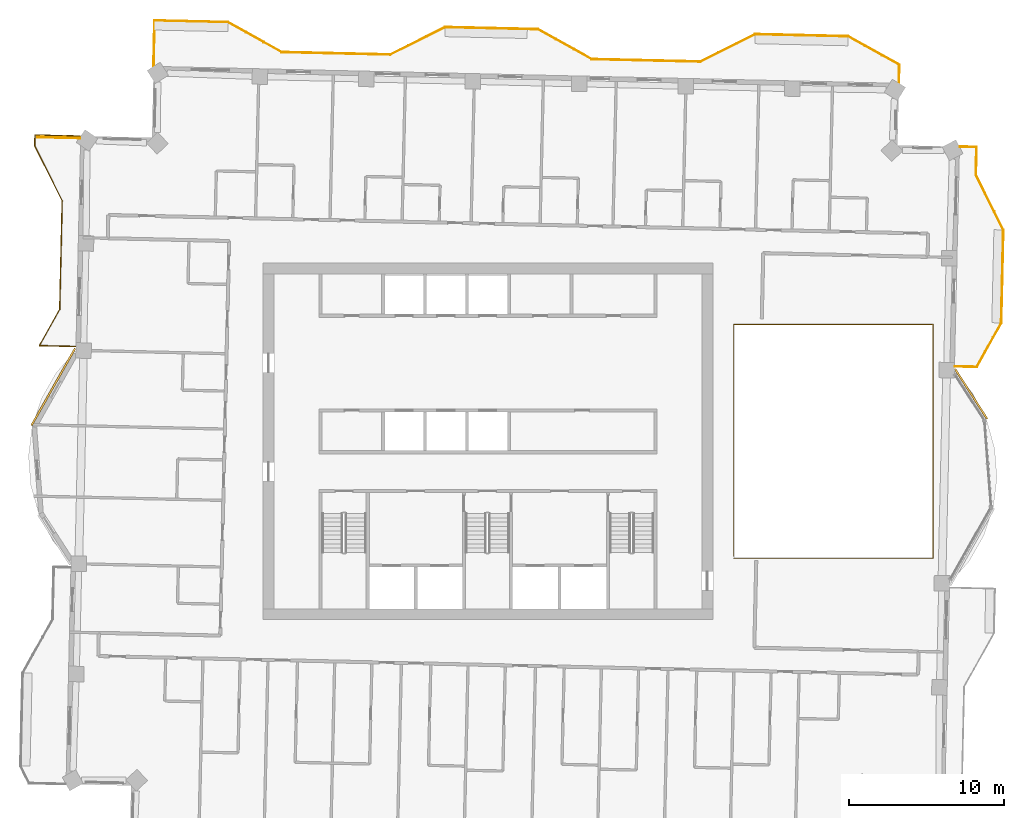
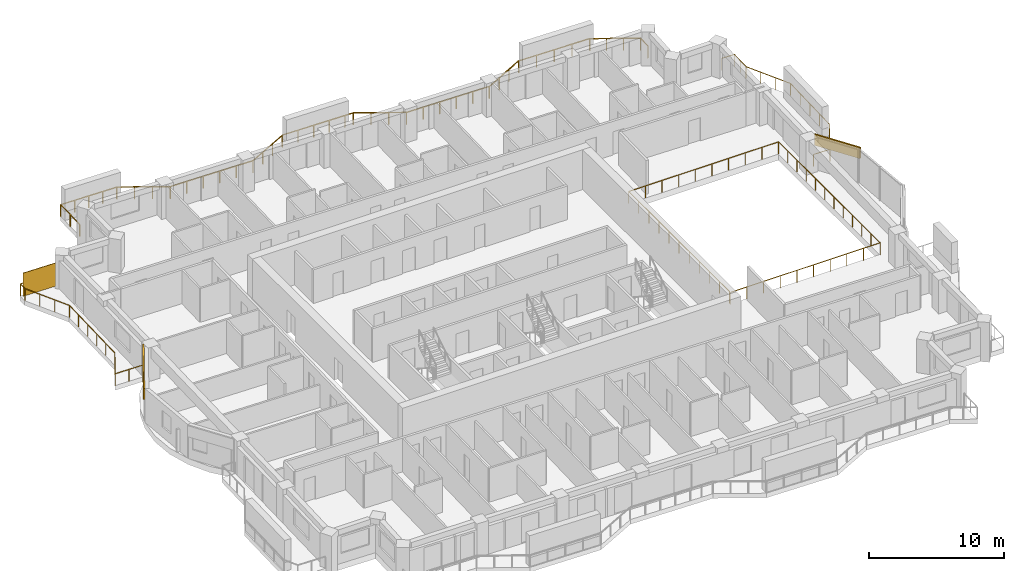
# One storey, part 17 of 17: 4 railings, 2 coverings, 1 shading device.
"""IFC4 building model written with IfcOpenShell, lengths in metres."""

from ifc_helpers import new_model, si_unit, direction, frame, frame_2d, origin, origin_2d, place, context, subcontext, project, spatial, rectangle, extrude, material, layer, layer_set, type_object, element, save


model = new_model("IFC4")

# Units and contexts
model_context = context("Model", 3, precision=1e-05, world=origin(), true_north=direction((0.0, 1.0)))
body_context = subcontext(model_context, "Body", "Model", "MODEL_VIEW")
ifc_project = project(units=[si_unit("LENGTHUNIT", "METRE"), si_unit("AREAUNIT", "SQUARE_METRE"), si_unit("VOLUMEUNIT", "CUBIC_METRE"), si_unit("PLANEANGLEUNIT", "RADIAN"), si_unit("MASSUNIT", "GRAM", prefix="KILO")], contexts=[model_context])

# Site, building, storey
site_placement = place(None, origin())
site = spatial("IfcSite", under=ifc_project, at=site_placement, CompositionType="ELEMENT")
building_placement = place(site_placement, origin())
building = spatial("IfcBuilding", under=site, at=building_placement, Name="Mangrove Gate Tower", CompositionType="ELEMENT")
storey_placement = place(building_placement, frame((0.0, 0.0, 260.89990234375)))
storey = spatial("IfcBuildingStorey", under=building, at=storey_placement, Name="L66", CompositionType="ELEMENT", Elevation=260.89990234375)

# Railings
ifc_material_1 = material(Name="Stainless steel grade 316 with laminated glass infill", Category="steel")
railing_type = type_object("IfcRailingType", Name="Balcony guard 1100", PredefinedType="GUARDRAIL", material=ifc_material_1)
railing_1_placement = place(storey_placement, frame((30.1298828125, 4.830078125, 0.0)))
element("IfcRailing", 1, at=railing_1_placement, inside=storey, type_object=railing_type, Name="GUARD L66 E2", PredefinedType="GUARDRAIL", context=body_context, shape_type="SweptSolid", body=[
    extrude(rectangle(XDim=0.048095703125, YDim=0.048095703125, at=origin_2d()), frame((0.0, 0.0, 1.076171875), z_axis=(0.999735822648, -0.022984449415, 0.0), x_axis=(0.022984449415, 0.999735822648, 0.0)), (0.0, 0.0, 1.0), 1.3916015625),
    extrude(rectangle(XDim=0.048095703125, YDim=0.048095703125, at=origin_2d()), frame((1.39111328125, -0.031982421875, 1.076171875), z_axis=(0.487121176966, 0.873334391256, 0.0), x_axis=(-0.873334391256, 0.487121176966, 0.0)), (0.0, 0.0, 1.0), 3.251708984375),
    extrude(rectangle(XDim=0.048095703125, YDim=0.048095703125, at=origin_2d()), frame((2.97509765625, 2.807861328125, 1.076171875), z_axis=(0.022665943652, 0.999743094499, 0.0), x_axis=(-0.999743094499, 0.022665943652, 0.0)), (0.0, 0.0, 1.0), 5.99951171875),
    extrude(rectangle(XDim=0.048095703125, YDim=0.048095703125, at=origin_2d()), frame((3.111083984375, 8.805908203125, 1.076171875), z_axis=(-0.447114919141, 0.894476522376, 0.0), x_axis=(-0.894476522376, -0.447114919141, 0.0)), (0.0, 0.0, 1.0), 3.958740234375),
    extrude(rectangle(XDim=0.048095703125, YDim=0.048095703125, at=origin_2d()), frame((1.341064453125, 12.346923828125, 1.076171875), z_axis=(0.022779927389, 0.999740503785, 0.0), x_axis=(-0.999740503785, 0.022779927389, 0.0)), (0.0, 0.0, 1.0), 1.800537109375),
    extrude(rectangle(XDim=0.048095703125, YDim=0.048095703125, at=origin_2d()), frame((1.382080078125, 14.14697265625, 1.076171875), z_axis=(-0.999745389313, 0.022564497502, 0.0), x_axis=(-0.022564497502, -0.999745389313, 0.0)), (0.0, 0.0, 1.0), 1.060302734375),
    extrude(rectangle(XDim=0.0419921875, YDim=0.0419921875, at=origin_2d()), origin(), (0.0, 0.0, 1.0), 1.052001953125),
    extrude(rectangle(XDim=0.0419921875, YDim=0.0419921875, at=origin_2d()), frame((1.39111328125, -0.031982421875, 0.0)), (0.0, 0.0, 1.0), 1.052001953125),
    extrude(rectangle(XDim=0.0419921875, YDim=0.0419921875, at=origin_2d()), frame((1.919189453125, 0.91455078125, 0.0)), (0.0, 0.0, 1.0), 1.052001953125),
    extrude(rectangle(XDim=0.0419921875, YDim=0.0419921875, at=origin_2d()), frame((2.447021484375, 1.861328125, 0.0)), (0.0, 0.0, 1.0), 1.052001953125),
    extrude(rectangle(XDim=0.0419921875, YDim=0.0419921875, at=origin_2d()), frame((2.97509765625, 2.807861328125, 0.0)), (0.0, 0.0, 1.0), 1.052001953125),
    extrude(rectangle(XDim=0.0419921875, YDim=0.0419921875, at=origin_2d()), frame((3.009033203125, 4.307373046875, 0.0)), (0.0, 0.0, 1.0), 1.052001953125),
    extrude(rectangle(XDim=0.0419921875, YDim=0.0419921875, at=origin_2d()), frame((3.04296875, 5.806884765625, 0.0)), (0.0, 0.0, 1.0), 1.052001953125),
    extrude(rectangle(XDim=0.0419921875, YDim=0.0419921875, at=origin_2d()), frame((3.0771484375, 7.306396484375, 0.0)), (0.0, 0.0, 1.0), 1.052001953125),
    extrude(rectangle(XDim=0.0419921875, YDim=0.0419921875, at=origin_2d()), frame((3.111083984375, 8.805908203125, 0.0)), (0.0, 0.0, 1.0), 1.052001953125),
    extrude(rectangle(XDim=0.0419921875, YDim=0.0419921875, at=origin_2d()), frame((2.52099609375, 9.986328125, 0.0)), (0.0, 0.0, 1.0), 1.052001953125),
    extrude(rectangle(XDim=0.0419921875, YDim=0.0419921875, at=origin_2d()), frame((1.93115234375, 11.16650390625, 0.0)), (0.0, 0.0, 1.0), 1.052001953125),
    extrude(rectangle(XDim=0.0419921875, YDim=0.0419921875, at=origin_2d()), frame((1.341064453125, 12.346923828125, 0.0)), (0.0, 0.0, 1.0), 1.052001953125),
    extrude(rectangle(XDim=0.0419921875, YDim=0.0419921875, at=origin_2d()), frame((1.361572265625, 13.2470703125, 0.0)), (0.0, 0.0, 1.0), 1.052001953125),
    extrude(rectangle(XDim=0.0419921875, YDim=0.0419921875, at=origin_2d()), frame((1.382080078125, 14.14697265625, 0.0)), (0.0, 0.0, 1.0), 1.052001953125),
    extrude(rectangle(XDim=0.0419921875, YDim=0.0419921875, at=origin_2d()), frame((0.322021484375, 14.1708984375, 0.0)), (0.0, 0.0, 1.0), 1.052001953125),
])
railing_2_placement = place(storey_placement, frame((26.5048828125, 23.131103515625, 0.0)))
element("IfcRailing", 2, at=railing_2_placement, inside=storey, type_object=railing_type, Name="GUARD L66 N1", PredefinedType="GUARDRAIL", context=body_context, shape_type="SweptSolid", body=[
    extrude(rectangle(XDim=0.048095703125, YDim=0.048095703125, at=origin_2d()), frame((0.0, 0.0, 1.076171875), z_axis=(0.022769744301, 0.999740735763, 0.0), x_axis=(-0.999740735763, 0.022769744301, 0.0)), (0.0, 0.0, 1.0), 1.147216796875),
    extrude(rectangle(XDim=0.048095703125, YDim=0.048095703125, at=origin_2d()), frame((0.026123046875, 1.14697265625, 1.076171875), z_axis=(-0.873387160004, 0.487026558557, 0.0), x_axis=(-0.487026558557, -0.873387160004, 0.0)), (0.0, 0.0, 1.0), 3.773681640625),
    extrude(rectangle(XDim=0.048095703125, YDim=0.048095703125, at=origin_2d()), frame((-3.269775390625, 2.98486328125, 1.076171875), z_axis=(-0.999743094499, 0.022665943652, 0.0), x_axis=(-0.022665943652, -0.999743094499, 0.0)), (0.0, 0.0, 1.0), 5.99951171875),
    extrude(rectangle(XDim=0.048095703125, YDim=0.048095703125, at=origin_2d()), frame((-9.267822265625, 3.120849609375, 1.076171875), z_axis=(-0.894476522376, -0.447114919141, 0.0), x_axis=(0.447114919141, -0.894476522376, 0.0)), (0.0, 0.0, 1.0), 3.958740234375),
    extrude(rectangle(XDim=0.048095703125, YDim=0.048095703125, at=origin_2d()), frame((-12.808837890625, 1.350830078125, 1.076171875), z_axis=(-0.999741403216, 0.022740419861, 0.0), x_axis=(-0.022740419861, -0.999741403216, 0.0)), (0.0, 0.0, 1.0), 6.999755859375),
    extrude(rectangle(XDim=0.048095703125, YDim=0.048095703125, at=origin_2d()), frame((-19.806884765625, 1.510009765625, 1.076171875), z_axis=(-0.87325689943, 0.48726008209, 0.0), x_axis=(-0.48726008209, -0.87325689943, 0.0)), (0.0, 0.0, 1.0), 3.958740234375),
    extrude(rectangle(XDim=0.048095703125, YDim=0.048095703125, at=origin_2d()), frame((-23.263916015625, 3.43896484375, 1.076171875), z_axis=(-0.999743094177, 0.022665957838, 0.0), x_axis=(-0.022665957838, -0.999743094177, 0.0)), (0.0, 0.0, 1.0), 0.7001953125),
    extrude(rectangle(XDim=0.048095703125, YDim=0.048095703125, at=origin_2d()), frame((-23.9638671875, 3.454833984375, 1.076171875), z_axis=(-0.999743189186, 0.022661766832, 0.0), x_axis=(-0.022661766832, -0.999743189186, 0.0)), (0.0, 0.0, 1.0), 5.300537109375),
    extrude(rectangle(XDim=0.048095703125, YDim=0.048095703125, at=origin_2d()), frame((-29.262939453125, 3.574951171875, 1.076171875), z_axis=(-0.894476522376, -0.447114919141, 0.0), x_axis=(0.447114919141, -0.894476522376, 0.0)), (0.0, 0.0, 1.0), 3.958740234375),
    extrude(rectangle(XDim=0.048095703125, YDim=0.048095703125, at=origin_2d()), frame((-32.803955078125, 1.804931640625, 1.076171875), z_axis=(-0.999742195543, 0.022705559911, 0.0), x_axis=(-0.022705559911, -0.999742195543, 0.0)), (0.0, 0.0, 1.0), 6.999755859375),
    extrude(rectangle(XDim=0.048095703125, YDim=0.048095703125, at=origin_2d()), frame((-39.802001953125, 1.9638671875, 1.076171875), z_axis=(-0.873242256246, 0.487286324359, 0.0), x_axis=(-0.487286324359, -0.873242256246, 0.0)), (0.0, 0.0, 1.0), 3.95849609375),
    extrude(rectangle(XDim=0.048095703125, YDim=0.048095703125, at=origin_2d()), frame((-43.2587890625, 3.892822265625, 1.076171875), z_axis=(-0.999743933574, 0.022628903678, 0.0), x_axis=(-0.022628903678, -0.999743933574, 0.0)), (0.0, 0.0, 1.0), 4.736328125),
    extrude(rectangle(XDim=0.048095703125, YDim=0.048095703125, at=origin_2d()), frame((-47.993896484375, 4.0, 1.076171875), z_axis=(-0.022652795902, -0.999743392495, 0.0), x_axis=(0.999743392495, -0.022652795902, 0.0)), (0.0, 0.0, 1.0), 2.909912109375),
    extrude(rectangle(XDim=0.0419921875, YDim=0.0419921875, at=origin_2d()), origin(), (0.0, 0.0, 1.0), 1.052001953125),
    extrude(rectangle(XDim=0.0419921875, YDim=0.0419921875, at=origin_2d()), frame((0.026123046875, 1.14697265625, 0.0)), (0.0, 0.0, 1.0), 1.052001953125),
    extrude(rectangle(XDim=0.0419921875, YDim=0.0419921875, at=origin_2d()), frame((-1.072509765625, 1.759521484375, 0.0)), (0.0, 0.0, 1.0), 1.052001953125),
    extrude(rectangle(XDim=0.0419921875, YDim=0.0419921875, at=origin_2d()), frame((-2.171142578125, 2.372314453125, 0.0)), (0.0, 0.0, 1.0), 1.052001953125),
    extrude(rectangle(XDim=0.0419921875, YDim=0.0419921875, at=origin_2d()), frame((-3.269775390625, 2.98486328125, 0.0)), (0.0, 0.0, 1.0), 1.052001953125),
    extrude(rectangle(XDim=0.0419921875, YDim=0.0419921875, at=origin_2d()), frame((-4.769287109375, 3.018798828125, 0.0)), (0.0, 0.0, 1.0), 1.052001953125),
    extrude(rectangle(XDim=0.0419921875, YDim=0.0419921875, at=origin_2d()), frame((-6.268798828125, 3.052734375, 0.0)), (0.0, 0.0, 1.0), 1.052001953125),
    extrude(rectangle(XDim=0.0419921875, YDim=0.0419921875, at=origin_2d()), frame((-7.768310546875, 3.0869140625, 0.0)), (0.0, 0.0, 1.0), 1.052001953125),
    extrude(rectangle(XDim=0.0419921875, YDim=0.0419921875, at=origin_2d()), frame((-9.267822265625, 3.120849609375, 0.0)), (0.0, 0.0, 1.0), 1.052001953125),
    extrude(rectangle(XDim=0.0419921875, YDim=0.0419921875, at=origin_2d()), frame((-10.4482421875, 2.53076171875, 0.0)), (0.0, 0.0, 1.0), 1.052001953125),
    extrude(rectangle(XDim=0.0419921875, YDim=0.0419921875, at=origin_2d()), frame((-11.62841796875, 1.94091796875, 0.0)), (0.0, 0.0, 1.0), 1.052001953125),
    extrude(rectangle(XDim=0.0419921875, YDim=0.0419921875, at=origin_2d()), frame((-12.808837890625, 1.350830078125, 0.0)), (0.0, 0.0, 1.0), 1.052001953125),
    extrude(rectangle(XDim=0.0419921875, YDim=0.0419921875, at=origin_2d()), frame((-14.20849609375, 1.382568359375, 0.0)), (0.0, 0.0, 1.0), 1.052001953125),
    extrude(rectangle(XDim=0.0419921875, YDim=0.0419921875, at=origin_2d()), frame((-15.608154296875, 1.41455078125, 0.0)), (0.0, 0.0, 1.0), 1.052001953125),
    extrude(rectangle(XDim=0.0419921875, YDim=0.0419921875, at=origin_2d()), frame((-17.007568359375, 1.4462890625, 0.0)), (0.0, 0.0, 1.0), 1.052001953125),
    extrude(rectangle(XDim=0.0419921875, YDim=0.0419921875, at=origin_2d()), frame((-18.4072265625, 1.478271484375, 0.0)), (0.0, 0.0, 1.0), 1.052001953125),
    extrude(rectangle(XDim=0.0419921875, YDim=0.0419921875, at=origin_2d()), frame((-19.806884765625, 1.510009765625, 0.0)), (0.0, 0.0, 1.0), 1.052001953125),
    extrude(rectangle(XDim=0.0419921875, YDim=0.0419921875, at=origin_2d()), frame((-20.959228515625, 2.153076171875, 0.0)), (0.0, 0.0, 1.0), 1.052001953125),
    extrude(rectangle(XDim=0.0419921875, YDim=0.0419921875, at=origin_2d()), frame((-22.111572265625, 2.7958984375, 0.0)), (0.0, 0.0, 1.0), 1.052001953125),
    extrude(rectangle(XDim=0.0419921875, YDim=0.0419921875, at=origin_2d()), frame((-23.263916015625, 3.43896484375, 0.0)), (0.0, 0.0, 1.0), 1.052001953125),
    extrude(rectangle(XDim=0.0419921875, YDim=0.0419921875, at=origin_2d()), frame((-23.9638671875, 3.454833984375, 0.0)), (0.0, 0.0, 1.0), 1.052001953125),
    extrude(rectangle(XDim=0.0419921875, YDim=0.0419921875, at=origin_2d()), frame((-25.28857421875, 3.48486328125, 0.0)), (0.0, 0.0, 1.0), 1.052001953125),
    extrude(rectangle(XDim=0.0419921875, YDim=0.0419921875, at=origin_2d()), frame((-26.61328125, 3.514892578125, 0.0)), (0.0, 0.0, 1.0), 1.052001953125),
    extrude(rectangle(XDim=0.0419921875, YDim=0.0419921875, at=origin_2d()), frame((-27.938232421875, 3.544921875, 0.0)), (0.0, 0.0, 1.0), 1.052001953125),
    extrude(rectangle(XDim=0.0419921875, YDim=0.0419921875, at=origin_2d()), frame((-29.262939453125, 3.574951171875, 0.0)), (0.0, 0.0, 1.0), 1.052001953125),
    extrude(rectangle(XDim=0.0419921875, YDim=0.0419921875, at=origin_2d()), frame((-30.443359375, 2.98486328125, 0.0)), (0.0, 0.0, 1.0), 1.052001953125),
    extrude(rectangle(XDim=0.0419921875, YDim=0.0419921875, at=origin_2d()), frame((-31.62353515625, 2.39501953125, 0.0)), (0.0, 0.0, 1.0), 1.052001953125),
    extrude(rectangle(XDim=0.0419921875, YDim=0.0419921875, at=origin_2d()), frame((-32.803955078125, 1.804931640625, 0.0)), (0.0, 0.0, 1.0), 1.052001953125),
    extrude(rectangle(XDim=0.0419921875, YDim=0.0419921875, at=origin_2d()), frame((-34.20361328125, 1.836669921875, 0.0)), (0.0, 0.0, 1.0), 1.052001953125),
    extrude(rectangle(XDim=0.0419921875, YDim=0.0419921875, at=origin_2d()), frame((-35.603271484375, 1.868408203125, 0.0)), (0.0, 0.0, 1.0), 1.052001953125),
    extrude(rectangle(XDim=0.0419921875, YDim=0.0419921875, at=origin_2d()), frame((-37.002685546875, 1.900390625, 0.0)), (0.0, 0.0, 1.0), 1.052001953125),
    extrude(rectangle(XDim=0.0419921875, YDim=0.0419921875, at=origin_2d()), frame((-38.40234375, 1.93212890625, 0.0)), (0.0, 0.0, 1.0), 1.052001953125),
    extrude(rectangle(XDim=0.0419921875, YDim=0.0419921875, at=origin_2d()), frame((-39.802001953125, 1.9638671875, 0.0)), (0.0, 0.0, 1.0), 1.052001953125),
    extrude(rectangle(XDim=0.0419921875, YDim=0.0419921875, at=origin_2d()), frame((-40.954345703125, 2.60693359375, 0.0)), (0.0, 0.0, 1.0), 1.052001953125),
    extrude(rectangle(XDim=0.0419921875, YDim=0.0419921875, at=origin_2d()), frame((-42.1064453125, 3.249755859375, 0.0)), (0.0, 0.0, 1.0), 1.052001953125),
    extrude(rectangle(XDim=0.0419921875, YDim=0.0419921875, at=origin_2d()), frame((-43.2587890625, 3.892822265625, 0.0)), (0.0, 0.0, 1.0), 1.052001953125),
    extrude(rectangle(XDim=0.0419921875, YDim=0.0419921875, at=origin_2d()), frame((-44.442626953125, 3.919677734375, 0.0)), (0.0, 0.0, 1.0), 1.052001953125),
    extrude(rectangle(XDim=0.0419921875, YDim=0.0419921875, at=origin_2d()), frame((-45.62646484375, 3.9462890625, 0.0)), (0.0, 0.0, 1.0), 1.052001953125),
    extrude(rectangle(XDim=0.0419921875, YDim=0.0419921875, at=origin_2d()), frame((-46.81005859375, 3.97314453125, 0.0)), (0.0, 0.0, 1.0), 1.052001953125),
    extrude(rectangle(XDim=0.0419921875, YDim=0.0419921875, at=origin_2d()), frame((-47.993896484375, 4.0, 0.0)), (0.0, 0.0, 1.0), 1.052001953125),
    extrude(rectangle(XDim=0.0419921875, YDim=0.0419921875, at=origin_2d()), frame((-48.02685546875, 2.54541015625, 0.0)), (0.0, 0.0, 1.0), 1.052001953125),
    extrude(rectangle(XDim=0.0419921875, YDim=0.0419921875, at=origin_2d()), frame((-48.059814453125, 1.0908203125, 0.0)), (0.0, 0.0, 1.0), 1.052001953125),
])
railing_3_placement = place(storey_placement, frame((-26.299072265625, 19.68896484375, 0.0)))
element("IfcRailing", 3, at=railing_3_placement, inside=storey, type_object=railing_type, Name="GUARD L66 W1", PredefinedType="GUARDRAIL", context=body_context, shape_type="SweptSolid", body=[
    extrude(rectangle(XDim=0.048095703125, YDim=0.048095703125, at=origin_2d()), frame((0.0, 0.0, 1.076171875), z_axis=(-0.999750894749, 0.022319239446, 0.0), x_axis=(-0.022319239446, -0.999750894749, 0.0)), (0.0, 0.0, 1.0), 2.90966796875),
    extrude(rectangle(XDim=0.048095703125, YDim=0.048095703125, at=origin_2d()), frame((-2.908935546875, 0.06494140625, 1.076171875), z_axis=(-0.023046618873, -0.999734391405, 0.0), x_axis=(0.999734391405, -0.023046618873, 0.0)), (0.0, 0.0, 1.0), 0.69921875),
    extrude(rectangle(XDim=0.048095703125, YDim=0.048095703125, at=origin_2d()), frame((-2.925048828125, -0.634033203125, 1.076171875), z_axis=(0.447016280881, -0.894525821107, 0.0), x_axis=(0.894525821107, 0.447016280881, 0.0)), (0.0, 0.0, 1.0), 3.959716796875),
    extrude(rectangle(XDim=0.048095703125, YDim=0.048095703125, at=origin_2d()), frame((-1.155029296875, -4.176025390625, 1.076171875), z_axis=(-0.022705559911, -0.999742195543, 0.0), x_axis=(0.999742195543, -0.022705559911, 0.0)), (0.0, 0.0, 1.0), 6.999755859375),
    extrude(rectangle(XDim=0.048095703125, YDim=0.048095703125, at=origin_2d()), frame((-1.31396484375, -11.174072265625, 1.076171875), z_axis=(-0.487440307169, -0.873156313009, 0.0), x_axis=(0.873156313009, -0.487440307169, 0.0)), (0.0, 0.0, 1.0), 2.685546875),
    extrude(rectangle(XDim=0.048095703125, YDim=0.048095703125, at=origin_2d()), frame((-2.623046875, -13.51904296875, 1.076171875), z_axis=(0.9997382857, -0.022877065063, 0.0), x_axis=(0.022877065063, 0.9997382857, 0.0)), (0.0, 0.0, 1.0), 2.315673828125),
    extrude(rectangle(XDim=0.0419921875, YDim=0.0419921875, at=origin_2d()), origin(), (0.0, 0.0, 1.0), 1.052001953125),
    extrude(rectangle(XDim=0.0419921875, YDim=0.0419921875, at=origin_2d()), frame((-1.45458984375, 0.032470703125, 0.0)), (0.0, 0.0, 1.0), 1.052001953125),
    extrude(rectangle(XDim=0.0419921875, YDim=0.0419921875, at=origin_2d()), frame((-2.908935546875, 0.06494140625, 0.0)), (0.0, 0.0, 1.0), 1.052001953125),
    extrude(rectangle(XDim=0.0419921875, YDim=0.0419921875, at=origin_2d()), frame((-2.925048828125, -0.634033203125, 0.0)), (0.0, 0.0, 1.0), 1.052001953125),
    extrude(rectangle(XDim=0.0419921875, YDim=0.0419921875, at=origin_2d()), frame((-2.3349609375, -1.814697265625, 0.0)), (0.0, 0.0, 1.0), 1.052001953125),
    extrude(rectangle(XDim=0.0419921875, YDim=0.0419921875, at=origin_2d()), frame((-1.7451171875, -2.995361328125, 0.0)), (0.0, 0.0, 1.0), 1.052001953125),
    extrude(rectangle(XDim=0.0419921875, YDim=0.0419921875, at=origin_2d()), frame((-1.155029296875, -4.176025390625, 0.0)), (0.0, 0.0, 1.0), 1.052001953125),
    extrude(rectangle(XDim=0.0419921875, YDim=0.0419921875, at=origin_2d()), frame((-1.186767578125, -5.57568359375, 0.0)), (0.0, 0.0, 1.0), 1.052001953125),
    extrude(rectangle(XDim=0.0419921875, YDim=0.0419921875, at=origin_2d()), frame((-1.218505859375, -6.975341796875, 0.0)), (0.0, 0.0, 1.0), 1.052001953125),
    extrude(rectangle(XDim=0.0419921875, YDim=0.0419921875, at=origin_2d()), frame((-1.25048828125, -8.374755859375, 0.0)), (0.0, 0.0, 1.0), 1.052001953125),
    extrude(rectangle(XDim=0.0419921875, YDim=0.0419921875, at=origin_2d()), frame((-1.2822265625, -9.7744140625, 0.0)), (0.0, 0.0, 1.0), 1.052001953125),
    extrude(rectangle(XDim=0.0419921875, YDim=0.0419921875, at=origin_2d()), frame((-1.31396484375, -11.174072265625, 0.0)), (0.0, 0.0, 1.0), 1.052001953125),
    extrude(rectangle(XDim=0.0419921875, YDim=0.0419921875, at=origin_2d()), frame((-1.968505859375, -12.3466796875, 0.0)), (0.0, 0.0, 1.0), 1.052001953125),
    extrude(rectangle(XDim=0.0419921875, YDim=0.0419921875, at=origin_2d()), frame((-2.623046875, -13.51904296875, 0.0)), (0.0, 0.0, 1.0), 1.052001953125),
    extrude(rectangle(XDim=0.0419921875, YDim=0.0419921875, at=origin_2d()), frame((-1.46533203125, -13.54541015625, 0.0)), (0.0, 0.0, 1.0), 1.052001953125),
    extrude(rectangle(XDim=0.0419921875, YDim=0.0419921875, at=origin_2d()), frame((-0.307861328125, -13.572021484375, 0.0)), (0.0, 0.0, 1.0), 1.052001953125),
])
railing_4_placement = place(storey_placement, frame((15.860107421875, -7.5400390625, 0.0)))
element("IfcRailing", 4, at=railing_4_placement, inside=storey, type_object=railing_type, Name="GUARD L66 atrium", PredefinedType="GUARDRAIL", context=body_context, shape_type="SweptSolid", body=[
    extrude(rectangle(XDim=0.048095703125, YDim=0.048095703125, at=origin_2d()), frame((0.0, 0.0, 1.076171875), z_axis=(1.0, 0.0, 0.0), x_axis=(0.0, 1.0, 0.0)), (0.0, 0.0, 1.0), 12.8388671875),
    extrude(rectangle(XDim=0.048095703125, YDim=0.048095703125, at=origin_2d()), frame((12.8388671875, 0.0, 1.076171875), z_axis=(0.0, 1.0, 0.0), x_axis=(-1.0, 0.0, 0.0)), (0.0, 0.0, 1.0), 15.080078125),
    extrude(rectangle(XDim=0.048095703125, YDim=0.048095703125, at=origin_2d()), frame((12.8388671875, 15.080078125, 1.076171875), z_axis=(-1.0, 0.0, 0.0), x_axis=(0.0, -1.0, 0.0)), (0.0, 0.0, 1.0), 12.8388671875),
    extrude(rectangle(XDim=0.048095703125, YDim=0.048095703125, at=origin_2d()), frame((0.0, 15.080078125, 1.076171875), z_axis=(0.0, -1.0, 0.0), x_axis=(1.0, 0.0, 0.0)), (0.0, 0.0, 1.0), 14.9599609375),
    extrude(rectangle(XDim=0.0419921875, YDim=0.0419921875, at=origin_2d()), origin(), (0.0, 0.0, 1.0), 1.052001953125),
    extrude(rectangle(XDim=0.0419921875, YDim=0.0419921875, at=origin_2d()), frame((1.426513671875, 0.0, 0.0)), (0.0, 0.0, 1.0), 1.052001953125),
    extrude(rectangle(XDim=0.0419921875, YDim=0.0419921875, at=origin_2d()), frame((2.85302734375, 0.0, 0.0)), (0.0, 0.0, 1.0), 1.052001953125),
    extrude(rectangle(XDim=0.0419921875, YDim=0.0419921875, at=origin_2d()), frame((4.279541015625, 0.0, 0.0)), (0.0, 0.0, 1.0), 1.052001953125),
    extrude(rectangle(XDim=0.0419921875, YDim=0.0419921875, at=origin_2d()), frame((5.7060546875, 0.0, 0.0)), (0.0, 0.0, 1.0), 1.052001953125),
    extrude(rectangle(XDim=0.0419921875, YDim=0.0419921875, at=origin_2d()), frame((7.1328125, 0.0, 0.0)), (0.0, 0.0, 1.0), 1.052001953125),
    extrude(rectangle(XDim=0.0419921875, YDim=0.0419921875, at=origin_2d()), frame((8.559326171875, 0.0, 0.0)), (0.0, 0.0, 1.0), 1.052001953125),
    extrude(rectangle(XDim=0.0419921875, YDim=0.0419921875, at=origin_2d()), frame((9.98583984375, 0.0, 0.0)), (0.0, 0.0, 1.0), 1.052001953125),
    extrude(rectangle(XDim=0.0419921875, YDim=0.0419921875, at=origin_2d()), frame((11.412353515625, 0.0, 0.0)), (0.0, 0.0, 1.0), 1.052001953125),
    extrude(rectangle(XDim=0.0419921875, YDim=0.0419921875, at=origin_2d()), frame((12.8388671875, 0.0, 0.0)), (0.0, 0.0, 1.0), 1.052001953125),
    extrude(rectangle(XDim=0.0419921875, YDim=0.0419921875, at=origin_2d()), frame((12.8388671875, 1.370849609375, 0.0)), (0.0, 0.0, 1.0), 1.052001953125),
    extrude(rectangle(XDim=0.0419921875, YDim=0.0419921875, at=origin_2d()), frame((12.8388671875, 2.741943359375, 0.0)), (0.0, 0.0, 1.0), 1.052001953125),
    extrude(rectangle(XDim=0.0419921875, YDim=0.0419921875, at=origin_2d()), frame((12.8388671875, 4.11279296875, 0.0)), (0.0, 0.0, 1.0), 1.052001953125),
    extrude(rectangle(XDim=0.0419921875, YDim=0.0419921875, at=origin_2d()), frame((12.8388671875, 5.483642578125, 0.0)), (0.0, 0.0, 1.0), 1.052001953125),
    extrude(rectangle(XDim=0.0419921875, YDim=0.0419921875, at=origin_2d()), frame((12.8388671875, 6.8544921875, 0.0)), (0.0, 0.0, 1.0), 1.052001953125),
    extrude(rectangle(XDim=0.0419921875, YDim=0.0419921875, at=origin_2d()), frame((12.8388671875, 8.2255859375, 0.0)), (0.0, 0.0, 1.0), 1.052001953125),
    extrude(rectangle(XDim=0.0419921875, YDim=0.0419921875, at=origin_2d()), frame((12.8388671875, 9.596435546875, 0.0)), (0.0, 0.0, 1.0), 1.052001953125),
    extrude(rectangle(XDim=0.0419921875, YDim=0.0419921875, at=origin_2d()), frame((12.8388671875, 10.96728515625, 0.0)), (0.0, 0.0, 1.0), 1.052001953125),
    extrude(rectangle(XDim=0.0419921875, YDim=0.0419921875, at=origin_2d()), frame((12.8388671875, 12.338134765625, 0.0)), (0.0, 0.0, 1.0), 1.052001953125),
    extrude(rectangle(XDim=0.0419921875, YDim=0.0419921875, at=origin_2d()), frame((12.8388671875, 13.709228515625, 0.0)), (0.0, 0.0, 1.0), 1.052001953125),
    extrude(rectangle(XDim=0.0419921875, YDim=0.0419921875, at=origin_2d()), frame((12.8388671875, 15.080078125, 0.0)), (0.0, 0.0, 1.0), 1.052001953125),
    extrude(rectangle(XDim=0.0419921875, YDim=0.0419921875, at=origin_2d()), frame((11.412353515625, 15.080078125, 0.0)), (0.0, 0.0, 1.0), 1.052001953125),
    extrude(rectangle(XDim=0.0419921875, YDim=0.0419921875, at=origin_2d()), frame((9.98583984375, 15.080078125, 0.0)), (0.0, 0.0, 1.0), 1.052001953125),
    extrude(rectangle(XDim=0.0419921875, YDim=0.0419921875, at=origin_2d()), frame((8.559326171875, 15.080078125, 0.0)), (0.0, 0.0, 1.0), 1.052001953125),
    extrude(rectangle(XDim=0.0419921875, YDim=0.0419921875, at=origin_2d()), frame((7.1328125, 15.080078125, 0.0)), (0.0, 0.0, 1.0), 1.052001953125),
    extrude(rectangle(XDim=0.0419921875, YDim=0.0419921875, at=origin_2d()), frame((5.7060546875, 15.080078125, 0.0)), (0.0, 0.0, 1.0), 1.052001953125),
    extrude(rectangle(XDim=0.0419921875, YDim=0.0419921875, at=origin_2d()), frame((4.279541015625, 15.080078125, 0.0)), (0.0, 0.0, 1.0), 1.052001953125),
    extrude(rectangle(XDim=0.0419921875, YDim=0.0419921875, at=origin_2d()), frame((2.85302734375, 15.080078125, 0.0)), (0.0, 0.0, 1.0), 1.052001953125),
    extrude(rectangle(XDim=0.0419921875, YDim=0.0419921875, at=origin_2d()), frame((1.426513671875, 15.080078125, 0.0)), (0.0, 0.0, 1.0), 1.052001953125),
    extrude(rectangle(XDim=0.0419921875, YDim=0.0419921875, at=origin_2d()), frame((0.0, 15.080078125, 0.0)), (0.0, 0.0, 1.0), 1.052001953125),
    extrude(rectangle(XDim=0.0419921875, YDim=0.0419921875, at=origin_2d()), frame((0.0, 13.583984375, 0.0)), (0.0, 0.0, 1.0), 1.052001953125),
    extrude(rectangle(XDim=0.0419921875, YDim=0.0419921875, at=origin_2d()), frame((0.0, 12.088134765625, 0.0)), (0.0, 0.0, 1.0), 1.052001953125),
    extrude(rectangle(XDim=0.0419921875, YDim=0.0419921875, at=origin_2d()), frame((0.0, 10.592041015625, 0.0)), (0.0, 0.0, 1.0), 1.052001953125),
    extrude(rectangle(XDim=0.0419921875, YDim=0.0419921875, at=origin_2d()), frame((0.0, 9.09619140625, 0.0)), (0.0, 0.0, 1.0), 1.052001953125),
    extrude(rectangle(XDim=0.0419921875, YDim=0.0419921875, at=origin_2d()), frame((0.0, 7.60009765625, 0.0)), (0.0, 0.0, 1.0), 1.052001953125),
    extrude(rectangle(XDim=0.0419921875, YDim=0.0419921875, at=origin_2d()), frame((0.0, 6.10400390625, 0.0)), (0.0, 0.0, 1.0), 1.052001953125),
    extrude(rectangle(XDim=0.0419921875, YDim=0.0419921875, at=origin_2d()), frame((0.0, 4.608154296875, 0.0)), (0.0, 0.0, 1.0), 1.052001953125),
    extrude(rectangle(XDim=0.0419921875, YDim=0.0419921875, at=origin_2d()), frame((0.0, 3.112060546875, 0.0)), (0.0, 0.0, 1.0), 1.052001953125),
    extrude(rectangle(XDim=0.0419921875, YDim=0.0419921875, at=origin_2d()), frame((0.0, 1.6162109375, 0.0)), (0.0, 0.0, 1.0), 1.052001953125),
    extrude(rectangle(XDim=0.0419921875, YDim=0.0419921875, at=origin_2d()), frame((0.0, 0.1201171875, 0.0)), (0.0, 0.0, 1.0), 1.052001953125),
])

# Shading device
ifc_material_2 = material(Name="Timber slat screen in teak", Category="wood")
shading_device_type = type_object("IfcShadingDeviceType", Name="Balcony screen 2100", PredefinedType="USERDEFINED", material=ifc_material_2)
shading_device_placement = place(storey_placement, frame((-27.677001953125, 19.580078125, 0.0), z_axis=(0.0, 0.0, 1.0), x_axis=(-0.99974890584, 0.022408151889, 0.0)))
element("IfcShadingDevice", 5, at=shading_device_placement, inside=storey, type_object=shading_device_type, Name="SCREEN L66 W0", ObjectType="SCREEN", PredefinedType="USERDEFINED", context=body_context, shape_type="SweptSolid", body=[
    extrude(rectangle(XDim=2.7900390625, YDim=0.050048828125, at=origin_2d()), origin(), (0.0, 0.0, 1.0), 2.10009765625),
])

# Coverings
ifc_material_3 = material(Name="Limestone", Category="masonry")
ifc_layer_1 = layer(ifc_material_3, 0.0400390625, Name="Limestone cladding")
ifc_material_4 = material(Name="Stainless steel anchors and cavity", Category="steel")
ifc_layer_2 = layer(ifc_material_4, 0.080078125, Name="Fixing cavity")
ifc_layer_set = layer_set([ifc_layer_1, ifc_layer_2], Name="Joint fascia cladding 120")
covering_type = type_object("IfcCoveringType", Name="Joint fascia cladding 120", PredefinedType="CLADDING", material=ifc_layer_set)
covering_1_placement = place(storey_placement, frame((32.195068359375, 1.447021484375, 2.050048828125), z_axis=(0.0, 0.0, 1.0), x_axis=(-0.540602448732, 0.841278189676, 0.0)))
element("IfcCovering", 6, at=covering_1_placement, inside=storey, type_object=covering_type, Name="STONE FASCIA L66 E1.L2", PredefinedType="CLADDING", context=body_context, shape_type="SweptSolid", body=[
    extrude(rectangle(XDim=3.81787109375, YDim=0.1201171875, at=frame_2d((1.908935546875, 0.0))), origin(), (0.0, 0.0, 1.0), 1.0),
])
covering_2_placement = place(storey_placement, frame((-26.6201171875, 5.9931640625, 2.050048828125), z_axis=(0.0, 0.0, 1.0), x_axis=(-0.492443523438, -0.870344400926, 0.0)))
element("IfcCovering", 7, at=covering_2_placement, inside=storey, type_object=covering_type, Name="STONE FASCIA L66 W9.L1", PredefinedType="CLADDING", context=body_context, shape_type="SweptSolid", body=[
    extrude(rectangle(XDim=5.705810546875, YDim=0.1201171875, at=frame_2d((2.85302734375, 0.0))), origin(), (0.0, 0.0, 1.0), 1.0),
])

save(model, "model.ifc")
